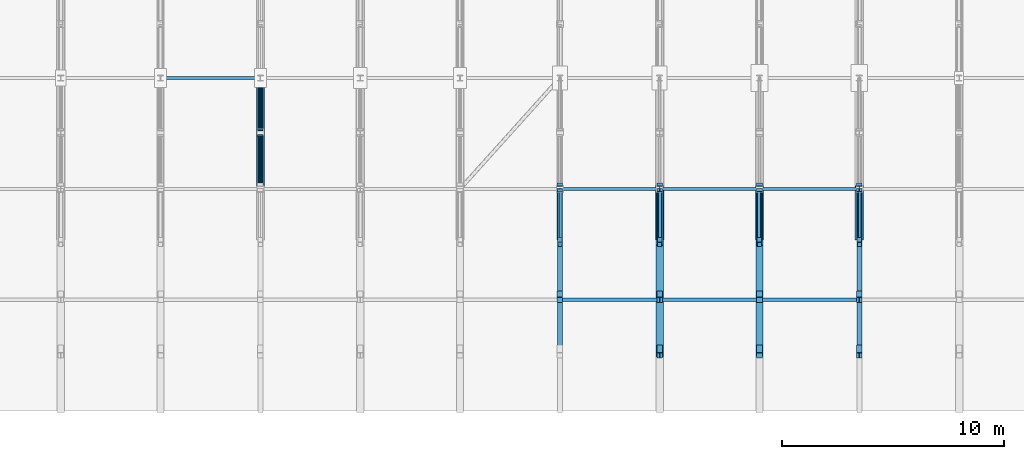
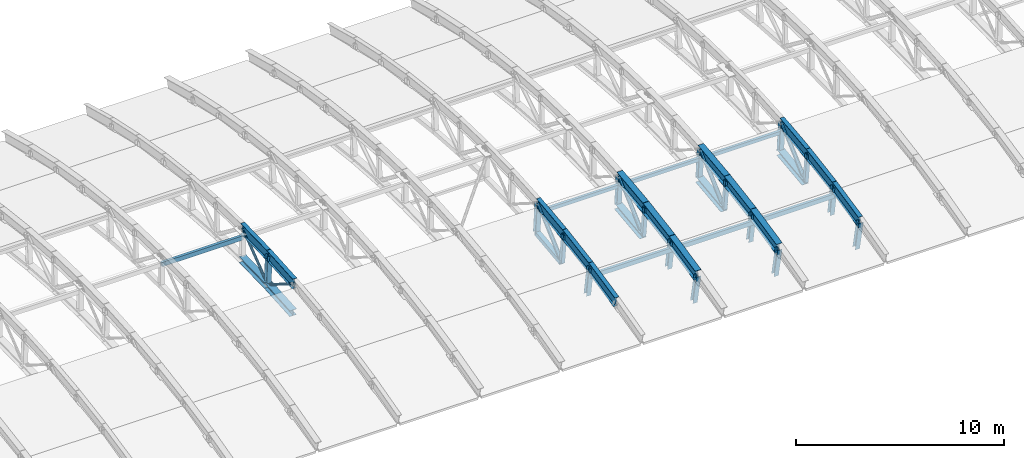
# One storey, part 12 of 53: 35 members, 14 beams.
"""IFC4 building model written with IfcOpenShell, lengths in metres."""

from ifc_helpers import new_model, si_unit, direction, frame, origin, origin_2d, place, context, subcontext, project, spatial, hollow_rectangle, hollow_circle, i_section, extrude, material, material_profile, profile_set, type_object, element, save


model = new_model("IFC4")

# Units and contexts
model_context = context("Model", 3, precision=1e-05, world=origin(), true_north=direction((0.0, 1.0)))
body_context = subcontext(model_context, "Body", "Model", "MODEL_VIEW")
ifc_project = project(units=[si_unit("LENGTHUNIT", "METRE"), si_unit("AREAUNIT", "SQUARE_METRE"), si_unit("VOLUMEUNIT", "CUBIC_METRE"), si_unit("PLANEANGLEUNIT", "RADIAN"), si_unit("MASSUNIT", "GRAM", prefix="KILO")], contexts=[model_context])

# Site, building, storey
site_placement = place(None, origin())
site = spatial("IfcSite", under=ifc_project, at=site_placement, CompositionType="ELEMENT")
building_placement = place(site_placement, origin())
building = spatial("IfcBuilding", under=site, at=building_placement, Name="Cazmaro Siding Exhibition Halls", CompositionType="ELEMENT")
storey_placement = place(building_placement, frame((0.0, 0.0, 21.0)))
storey = spatial("IfcBuildingStorey", under=building, at=storey_placement, Name="L04", CompositionType="ELEMENT", Elevation=21.0)

# Beams
ifc_material_1 = material(Name="Steel ASTM A992 Grade 50", Category="steel")
ifc_material_profile_1 = material_profile(ifc_material_1, i_section(OverallWidth=0.327880859375, OverallDepth=0.626953125, WebThickness=0.01708984375, FlangeThickness=0.028076171875, at=origin_2d()), Name="W24X146")
ifc_profile_set_1 = profile_set([ifc_material_profile_1], Name="Steel ASTM A992 Grade 50")
beam_type_1 = type_object("IfcBeamType", Name="AR-01", PredefinedType="USERDEFINED", material=ifc_profile_set_1)
beam_1_placement = place(storey_placement, frame((85.5, 81.5, 1.02001953125), z_axis=(0.0, 0.977710100146, 0.209959424826), x_axis=(-1.0, 0.0, 0.0)))
element("IfcBeam", 1, at=beam_1_placement, inside=storey, type_object=beam_type_1, Name="Space frame barrel vault arched rib AR-01 BM-0758", ObjectType="ARCHED RIB", PredefinedType="USERDEFINED", context=body_context, shape_type="SweptSolid", body=[
    extrude(i_section(OverallWidth=0.327880859375, OverallDepth=0.626953125, WebThickness=0.01708984375, FlangeThickness=0.028076171875, at=origin_2d()), origin(), (0.0, 0.0, 1.0), 2.556884765625),
])
beam_2_placement = place(storey_placement, frame((85.5, 84.0, 1.556884765625), z_axis=(0.0, 0.98649787474, 0.163774061236), x_axis=(-1.0, 0.0, 0.0)))
element("IfcBeam", 2, at=beam_2_placement, inside=storey, type_object=beam_type_1, Name="Space frame barrel vault arched rib AR-01 BM-0759", ObjectType="ARCHED RIB", PredefinedType="USERDEFINED", context=body_context, shape_type="SweptSolid", body=[
    extrude(i_section(OverallWidth=0.327880859375, OverallDepth=0.626953125, WebThickness=0.01708984375, FlangeThickness=0.028076171875, at=origin_2d()), origin(), (0.0, 0.0, 1.0), 2.5341796875),
])
beam_3_placement = place(storey_placement, frame((85.5, 86.5, 1.971923828125), z_axis=(0.0, 0.993147293786, 0.116869383693), x_axis=(-1.0, 0.0, 0.0)))
element("IfcBeam", 3, at=beam_3_placement, inside=storey, type_object=beam_type_1, Name="Space frame barrel vault arched rib AR-01 BM-0760", ObjectType="ARCHED RIB", PredefinedType="USERDEFINED", context=body_context, shape_type="SweptSolid", body=[
    extrude(i_section(OverallWidth=0.327880859375, OverallDepth=0.626953125, WebThickness=0.01708984375, FlangeThickness=0.028076171875, at=origin_2d()), origin(), (0.0, 0.0, 1.0), 2.517333984375),
])
ifc_material_2 = material(Name="Steel ASTM A992 Grade 50", Category="steel")
ifc_material_profile_2 = material_profile(ifc_material_2, i_section(OverallWidth=0.324951171875, OverallDepth=0.612060546875, WebThickness=0.012939453125, FlangeThickness=0.01904296875, at=origin_2d()), Name="W24X104")
ifc_profile_set_2 = profile_set([ifc_material_profile_2], Name="Steel ASTM A992 Grade 50")
beam_type_2 = type_object("IfcBeamType", Name="AR-02", PredefinedType="USERDEFINED", material=ifc_profile_set_2)
beam_4_placement = place(storey_placement, frame((90.0, 81.5, 1.02001953125), z_axis=(0.0, 0.977710100146, 0.209959424826), x_axis=(-1.0, 0.0, 0.0)))
element("IfcBeam", 4, at=beam_4_placement, inside=storey, type_object=beam_type_2, Name="Space frame barrel vault arched rib AR-02 BM-0782", ObjectType="ARCHED RIB", PredefinedType="USERDEFINED", context=body_context, shape_type="SweptSolid", body=[
    extrude(i_section(OverallWidth=0.324951171875, OverallDepth=0.612060546875, WebThickness=0.012939453125, FlangeThickness=0.01904296875, at=origin_2d()), origin(), (0.0, 0.0, 1.0), 2.556884765625),
])
beam_5_placement = place(storey_placement, frame((90.0, 84.0, 1.556884765625), z_axis=(0.0, 0.98649787474, 0.163774061236), x_axis=(-1.0, 0.0, 0.0)))
element("IfcBeam", 5, at=beam_5_placement, inside=storey, type_object=beam_type_2, Name="Space frame barrel vault arched rib AR-02 BM-0783", ObjectType="ARCHED RIB", PredefinedType="USERDEFINED", context=body_context, shape_type="SweptSolid", body=[
    extrude(i_section(OverallWidth=0.324951171875, OverallDepth=0.612060546875, WebThickness=0.012939453125, FlangeThickness=0.01904296875, at=origin_2d()), origin(), (0.0, 0.0, 1.0), 2.5341796875),
])
beam_6_placement = place(storey_placement, frame((90.0, 86.5, 1.971923828125), z_axis=(0.0, 0.993147293786, 0.116869383693), x_axis=(-1.0, 0.0, 0.0)))
element("IfcBeam", 6, at=beam_6_placement, inside=storey, type_object=beam_type_2, Name="Space frame barrel vault arched rib AR-02 BM-0784", ObjectType="ARCHED RIB", PredefinedType="USERDEFINED", context=body_context, shape_type="SweptSolid", body=[
    extrude(i_section(OverallWidth=0.324951171875, OverallDepth=0.612060546875, WebThickness=0.012939453125, FlangeThickness=0.01904296875, at=origin_2d()), origin(), (0.0, 0.0, 1.0), 2.517333984375),
])
ifc_material_3 = material(Name="Steel ASTM A992 Grade 50", Category="steel")
ifc_material_profile_3 = material_profile(ifc_material_3, i_section(OverallWidth=0.22900390625, OverallDepth=0.612060546875, WebThickness=0.011962890625, FlangeThickness=0.02001953125, at=origin_2d()), Name="W24X84")
ifc_profile_set_3 = profile_set([ifc_material_profile_3], Name="Steel ASTM A992 Grade 50")
beam_type_3 = type_object("IfcBeamType", Name="AR-03", PredefinedType="USERDEFINED", material=ifc_profile_set_3)
beam_7_placement = place(storey_placement, frame((67.5, 89.0, 2.26611328125), z_axis=(0.0, 0.997537204184, 0.070139334669), x_axis=(-1.0, 0.0, 0.0)))
element("IfcBeam", 7, at=beam_7_placement, inside=storey, type_object=beam_type_3, Name="Space frame barrel vault arched rib AR-03 BM-0665", ObjectType="ARCHED RIB", PredefinedType="USERDEFINED", context=body_context, shape_type="SweptSolid", body=[
    extrude(i_section(OverallWidth=0.22900390625, OverallDepth=0.612060546875, WebThickness=0.011962890625, FlangeThickness=0.02001953125, at=origin_2d()), origin(), (0.0, 0.0, 1.0), 2.506103515625),
])
beam_8_placement = place(storey_placement, frame((67.5, 91.5, 2.44189453125), z_axis=(0.0, 0.999730009742, 0.023235912336), x_axis=(-1.0, 0.0, 0.0)))
element("IfcBeam", 8, at=beam_8_placement, inside=storey, type_object=beam_type_3, Name="Space frame barrel vault arched rib AR-03 BM-0666", ObjectType="ARCHED RIB", PredefinedType="USERDEFINED", context=body_context, shape_type="SweptSolid", body=[
    extrude(i_section(OverallWidth=0.22900390625, OverallDepth=0.612060546875, WebThickness=0.011962890625, FlangeThickness=0.02001953125, at=origin_2d()), origin(), (0.0, 0.0, 1.0), 2.500732421875),
])
beam_9_placement = place(storey_placement, frame((81.0, 81.5, 1.02001953125), z_axis=(0.0, 0.977710100146, 0.209959424826), x_axis=(-1.0, 0.0, 0.0)))
element("IfcBeam", 9, at=beam_9_placement, inside=storey, type_object=beam_type_3, Name="Space frame barrel vault arched rib AR-03 BM-0734", ObjectType="ARCHED RIB", PredefinedType="USERDEFINED", context=body_context, shape_type="SweptSolid", body=[
    extrude(i_section(OverallWidth=0.22900390625, OverallDepth=0.612060546875, WebThickness=0.011962890625, FlangeThickness=0.02001953125, at=origin_2d()), origin(), (0.0, 0.0, 1.0), 2.556884765625),
])
beam_10_placement = place(storey_placement, frame((81.0, 84.0, 1.556884765625), z_axis=(0.0, 0.98649787474, 0.163774061236), x_axis=(-1.0, 0.0, 0.0)))
element("IfcBeam", 10, at=beam_10_placement, inside=storey, type_object=beam_type_3, Name="Space frame barrel vault arched rib AR-03 BM-0735", ObjectType="ARCHED RIB", PredefinedType="USERDEFINED", context=body_context, shape_type="SweptSolid", body=[
    extrude(i_section(OverallWidth=0.22900390625, OverallDepth=0.612060546875, WebThickness=0.011962890625, FlangeThickness=0.02001953125, at=origin_2d()), origin(), (0.0, 0.0, 1.0), 2.5341796875),
])
beam_11_placement = place(storey_placement, frame((81.0, 86.5, 1.971923828125), z_axis=(0.0, 0.993147293786, 0.116869383693), x_axis=(-1.0, 0.0, 0.0)))
element("IfcBeam", 11, at=beam_11_placement, inside=storey, type_object=beam_type_3, Name="Space frame barrel vault arched rib AR-03 BM-0736", ObjectType="ARCHED RIB", PredefinedType="USERDEFINED", context=body_context, shape_type="SweptSolid", body=[
    extrude(i_section(OverallWidth=0.22900390625, OverallDepth=0.612060546875, WebThickness=0.011962890625, FlangeThickness=0.02001953125, at=origin_2d()), origin(), (0.0, 0.0, 1.0), 2.517333984375),
])
beam_12_placement = place(storey_placement, frame((94.5, 81.5, 1.02001953125), z_axis=(0.0, 0.977710100146, 0.209959424826), x_axis=(-1.0, 0.0, 0.0)))
element("IfcBeam", 12, at=beam_12_placement, inside=storey, type_object=beam_type_3, Name="Space frame barrel vault arched rib AR-03 BM-0806", ObjectType="ARCHED RIB", PredefinedType="USERDEFINED", context=body_context, shape_type="SweptSolid", body=[
    extrude(i_section(OverallWidth=0.22900390625, OverallDepth=0.612060546875, WebThickness=0.011962890625, FlangeThickness=0.02001953125, at=origin_2d()), origin(), (0.0, 0.0, 1.0), 2.556884765625),
])
beam_13_placement = place(storey_placement, frame((94.5, 84.0, 1.556884765625), z_axis=(0.0, 0.98649787474, 0.163774061236), x_axis=(-1.0, 0.0, 0.0)))
element("IfcBeam", 13, at=beam_13_placement, inside=storey, type_object=beam_type_3, Name="Space frame barrel vault arched rib AR-03 BM-0807", ObjectType="ARCHED RIB", PredefinedType="USERDEFINED", context=body_context, shape_type="SweptSolid", body=[
    extrude(i_section(OverallWidth=0.22900390625, OverallDepth=0.612060546875, WebThickness=0.011962890625, FlangeThickness=0.02001953125, at=origin_2d()), origin(), (0.0, 0.0, 1.0), 2.5341796875),
])
beam_14_placement = place(storey_placement, frame((94.5, 86.5, 1.971923828125), z_axis=(0.0, 0.993147293786, 0.116869383693), x_axis=(-1.0, 0.0, 0.0)))
element("IfcBeam", 14, at=beam_14_placement, inside=storey, type_object=beam_type_3, Name="Space frame barrel vault arched rib AR-03 BM-0808", ObjectType="ARCHED RIB", PredefinedType="USERDEFINED", context=body_context, shape_type="SweptSolid", body=[
    extrude(i_section(OverallWidth=0.22900390625, OverallDepth=0.612060546875, WebThickness=0.011962890625, FlangeThickness=0.02001953125, at=origin_2d()), origin(), (0.0, 0.0, 1.0), 2.517333984375),
])

# Members
ifc_material_4 = material(Name="Steel ASTM A500 Grade C", Category="steel")
ifc_material_profile_4 = material_profile(ifc_material_4, hollow_rectangle(XDim=0.152099609375, YDim=0.202880859375, WallThickness=0.011962890625, at=origin_2d()), Name="HSS8X6X1/2")
ifc_profile_set_4 = profile_set([ifc_material_profile_4], Name="Steel ASTM A500 Grade C")
member_type_1 = type_object("IfcMemberType", Name="RP-01", PredefinedType="PURLIN", material=ifc_profile_set_4)
for number, where, z_axis, x_axis, name in (
    (15, (81.0, 89.0, 1.72607421875), (1.0, 0.0, 0.0), (0.0, 1.0, 0.0), "Space frame barrel vault purlin RP-01 MEM-2068"),
    (16, (85.5, 89.0, 1.72607421875), (1.0, 0.0, 0.0), (0.0, 1.0, 0.0), "Space frame barrel vault purlin RP-01 MEM-2079"),
    (17, (90.0, 89.0, 1.72607421875), (1.0, 0.0, 0.0), (0.0, 1.0, 0.0), "Space frame barrel vault purlin RP-01 MEM-2090"),
):
    element("IfcMember", number, at=place(storey_placement, frame(where, z_axis=z_axis, x_axis=x_axis)), inside=storey, type_object=member_type_1, Name=name, PredefinedType="PURLIN", context=body_context, shape_type="SweptSolid", body=[
        extrude(hollow_rectangle(XDim=0.152099609375, YDim=0.202880859375, WallThickness=0.011962890625, at=origin_2d()), origin(), (0.0, 0.0, 1.0), 4.5),
    ])
ifc_material_5 = material(Name="Steel ASTM A500 Grade C", Category="steel")
ifc_material_profile_5 = material_profile(ifc_material_5, hollow_rectangle(XDim=0.152099609375, YDim=0.25390625, WallThickness=0.011962890625, at=origin_2d()), Name="HSS10X6X1/2")
ifc_profile_set_5 = profile_set([ifc_material_profile_5], Name="Steel ASTM A500 Grade C")
member_type_2 = type_object("IfcMemberType", Name="RP-04", PredefinedType="PURLIN", material=ifc_profile_set_5)
for number, where, z_axis, x_axis, name in (
    (18, (63.0, 94.0, 1.9599609375), (1.0, 0.0, 0.0), (0.0, 1.0, 0.0), "Space frame barrel vault purlin RP-04 MEM-2019"),
    (19, (81.0, 84.0, 1.01708984375), (1.0, 0.0, 0.0), (0.0, 1.0, 0.0), "Space frame barrel vault purlin RP-04 MEM-2067"),
    (20, (85.5, 84.0, 1.01708984375), (1.0, 0.0, 0.0), (0.0, 1.0, 0.0), "Space frame barrel vault purlin RP-04 MEM-2078"),
    (21, (90.0, 84.0, 1.01708984375), (1.0, 0.0, 0.0), (0.0, 1.0, 0.0), "Space frame barrel vault purlin RP-04 MEM-2089"),
):
    element("IfcMember", number, at=place(storey_placement, frame(where, z_axis=z_axis, x_axis=x_axis)), inside=storey, type_object=member_type_2, Name=name, PredefinedType="PURLIN", context=body_context, shape_type="SweptSolid", body=[
        extrude(hollow_rectangle(XDim=0.152099609375, YDim=0.25390625, WallThickness=0.011962890625, at=origin_2d()), origin(), (0.0, 0.0, 1.0), 4.5),
    ])
ifc_material_6 = material(Name="Steel ASTM A500 Grade C", Category="steel")
ifc_material_profile_6 = material_profile(ifc_material_6, hollow_rectangle(XDim=0.25390625, YDim=0.25390625, WallThickness=0.014892578125, at=origin_2d()), Name="HSS10X10X5/8")
ifc_profile_set_6 = profile_set([ifc_material_profile_6], Name="Steel ASTM A500 Grade C")
member_type_3 = type_object("IfcMemberType", Name="TC-01", PredefinedType="CHORD", material=ifc_profile_set_6)
member_1_placement = place(storey_placement, frame((81.0, 86.7099609375, 0.18701171875), z_axis=(0.0, 0.993149923187, 0.116847037079), x_axis=(-1.0, 0.0, 0.0)))
element("IfcMember", 22, at=member_1_placement, inside=storey, type_object=member_type_3, Name="Space frame barrel vault bottom chord TC-01 MEM-0539", PredefinedType="CHORD", context=body_context, shape_type="SweptSolid", body=[
    extrude(hollow_rectangle(XDim=0.25390625, YDim=0.25390625, WallThickness=0.014892578125, at=origin_2d()), origin(), (0.0, 0.0, 1.0), 2.44677734375),
])
ifc_material_7 = material(Name="Steel ASTM A992 Grade 50", Category="steel")
ifc_material_profile_7 = material_profile(ifc_material_7, i_section(OverallWidth=0.37109375, OverallDepth=0.364013671875, WebThickness=0.012939453125, FlangeThickness=0.02197265625, at=origin_2d()), Name="W14X109")
ifc_profile_set_7 = profile_set([ifc_material_profile_7], Name="Steel ASTM A992 Grade 50")
member_type_4 = type_object("IfcMemberType", Name="TC-06", PredefinedType="CHORD", material=ifc_profile_set_7)
member_2_placement = place(storey_placement, frame((67.5, 89.139892578125, 0.472900390625), z_axis=(0.0, 0.997529419526, 0.070249962135), x_axis=(-1.0, 0.0, 0.0)))
element("IfcMember", 23, at=member_2_placement, inside=storey, type_object=member_type_4, Name="Space frame barrel vault bottom chord TC-06 MEM-0328", PredefinedType="CHORD", context=body_context, shape_type="SweptSolid", body=[
    extrude(i_section(OverallWidth=0.37109375, OverallDepth=0.364013671875, WebThickness=0.012939453125, FlangeThickness=0.02197265625, at=origin_2d()), origin(), (0.0, 0.0, 1.0), 2.436279296875),
])
member_3_placement = place(storey_placement, frame((67.5, 91.570068359375, 0.64404296875), z_axis=(0.0, 0.99973541783, 0.023002050707), x_axis=(-1.0, 0.0, 0.0)))
element("IfcMember", 24, at=member_3_placement, inside=storey, type_object=member_type_4, Name="Space frame barrel vault bottom chord TC-06 MEM-0330", PredefinedType="CHORD", context=body_context, shape_type="SweptSolid", body=[
    extrude(i_section(OverallWidth=0.37109375, OverallDepth=0.364013671875, WebThickness=0.012939453125, FlangeThickness=0.02197265625, at=origin_2d()), origin(), (0.0, 0.0, 1.0), 2.4306640625),
])
for number, where, z_axis, x_axis, name in (
    (25, (85.5, 86.7099609375, 0.18701171875), (0.0, 0.993149923187, 0.116847037079), (-1.0, 0.0, 0.0), "Space frame barrel vault bottom chord TC-06 MEM-0610"),
    (26, (90.0, 86.7099609375, 0.18701171875), (0.0, 0.993149923187, 0.116847037079), (-1.0, 0.0, 0.0), "Space frame barrel vault bottom chord TC-06 MEM-0681"),
    (27, (94.5, 86.7099609375, 0.18701171875), (0.0, 0.993149923187, 0.116847037079), (-1.0, 0.0, 0.0), "Space frame barrel vault bottom chord TC-06 MEM-0752"),
):
    element("IfcMember", number, at=place(storey_placement, frame(where, z_axis=z_axis, x_axis=x_axis)), inside=storey, type_object=member_type_4, Name=name, PredefinedType="CHORD", context=body_context, shape_type="SweptSolid", body=[
        extrude(i_section(OverallWidth=0.37109375, OverallDepth=0.364013671875, WebThickness=0.012939453125, FlangeThickness=0.02197265625, at=origin_2d()), origin(), (0.0, 0.0, 1.0), 2.44677734375),
    ])
ifc_material_8 = material(Name="Steel ASTM A500 Grade C", Category="steel")
ifc_material_profile_8 = material_profile(ifc_material_8, hollow_rectangle(XDim=0.202880859375, YDim=0.202880859375, WallThickness=0.011962890625, at=origin_2d()), Name="HSS8X8X1/2")
ifc_profile_set_8 = profile_set([ifc_material_profile_8], Name="Steel ASTM A500 Grade C")
member_type_5 = type_object("IfcMemberType", Name="TP-01", PredefinedType="POST", material=ifc_profile_set_8)
for number, where, z_axis, x_axis, name in (
    (28, (81.0, 86.7099609375, 0.18701171875), (0.0, -0.116825484133, 0.993152458718), (1.0, 0.0, 0.0), "Space frame barrel vault post TP-01 MEM-0577"),
    (29, (85.5, 86.7099609375, 0.18701171875), (0.0, -0.116825484133, 0.993152458718), (1.0, 0.0, 0.0), "Space frame barrel vault post TP-01 MEM-0648"),
    (30, (90.0, 86.7099609375, 0.18701171875), (0.0, -0.116825484133, 0.993152458718), (1.0, 0.0, 0.0), "Space frame barrel vault post TP-01 MEM-0719"),
    (31, (94.5, 86.7099609375, 0.18701171875), (0.0, -0.116825484133, 0.993152458718), (1.0, 0.0, 0.0), "Space frame barrel vault post TP-01 MEM-0790"),
):
    element("IfcMember", number, at=place(storey_placement, frame(where, z_axis=z_axis, x_axis=x_axis)), inside=storey, type_object=member_type_5, Name=name, PredefinedType="POST", context=body_context, shape_type="SweptSolid", body=[
        extrude(hollow_rectangle(XDim=0.202880859375, YDim=0.202880859375, WallThickness=0.011962890625, at=origin_2d()), origin(), (0.0, 0.0, 1.0), 1.797119140625),
    ])
ifc_material_9 = material(Name="Steel ASTM A992 Grade 50", Category="steel")
ifc_material_profile_9 = material_profile(ifc_material_9, i_section(OverallWidth=0.25390625, OverallDepth=0.25390625, WebThickness=0.009033203125, FlangeThickness=0.013916015625, at=origin_2d()), Name="W10X49")
ifc_profile_set_9 = profile_set([ifc_material_profile_9], Name="Steel ASTM A992 Grade 50")
member_type_6 = type_object("IfcMemberType", Name="TP-04", PredefinedType="POST", material=ifc_profile_set_9)
member_4_placement = place(storey_placement, frame((67.5, 91.570068359375, 0.64404296875), z_axis=(0.0, -0.038943818889, 0.999241401749), x_axis=(1.0, 0.0, 0.0)))
element("IfcMember", 32, at=member_4_placement, inside=storey, type_object=member_type_6, Name="Space frame barrel vault post TP-04 MEM-0366", PredefinedType="POST", context=body_context, shape_type="SweptSolid", body=[
    extrude(i_section(OverallWidth=0.25390625, OverallDepth=0.25390625, WebThickness=0.009033203125, FlangeThickness=0.013916015625, at=origin_2d()), origin(), (0.0, 0.0, 1.0), 1.79931640625),
])
member_5_placement = place(storey_placement, frame((81.0, 84.280029296875, -0.217041015625), z_axis=(0.0, -0.155927668857, 0.987768475952), x_axis=(1.0, 0.0, 0.0)))
element("IfcMember", 33, at=member_5_placement, inside=storey, type_object=member_type_6, Name="Space frame barrel vault post TP-04 MEM-0576", PredefinedType="POST", context=body_context, shape_type="SweptSolid", body=[
    extrude(i_section(OverallWidth=0.25390625, OverallDepth=0.25390625, WebThickness=0.009033203125, FlangeThickness=0.013916015625, at=origin_2d()), origin(), (0.0, 0.0, 1.0), 1.7958984375),
])
member_6_placement = place(storey_placement, frame((81.0, 89.139892578125, 0.472900390625), z_axis=(0.0, -0.077775943468, 0.996970863475), x_axis=(1.0, 0.0, 0.0)))
element("IfcMember", 34, at=member_6_placement, inside=storey, type_object=member_type_6, Name="Space frame barrel vault post TP-04 MEM-0578", PredefinedType="POST", context=body_context, shape_type="SweptSolid", body=[
    extrude(i_section(OverallWidth=0.25390625, OverallDepth=0.25390625, WebThickness=0.009033203125, FlangeThickness=0.013916015625, at=origin_2d()), origin(), (0.0, 0.0, 1.0), 1.798583984375),
])
member_7_placement = place(storey_placement, frame((85.5, 81.85009765625, -0.739013671875), z_axis=(0.0, -0.195199839578, 0.980763489649), x_axis=(1.0, 0.0, 0.0)))
element("IfcMember", 35, at=member_7_placement, inside=storey, type_object=member_type_6, Name="Space frame barrel vault post TP-04 MEM-0646", PredefinedType="POST", context=body_context, shape_type="SweptSolid", body=[
    extrude(i_section(OverallWidth=0.25390625, OverallDepth=0.25390625, WebThickness=0.009033203125, FlangeThickness=0.013916015625, at=origin_2d()), origin(), (0.0, 0.0, 1.0), 1.79345703125),
])
member_8_placement = place(storey_placement, frame((85.5, 84.280029296875, -0.217041015625), z_axis=(0.0, -0.155927668857, 0.987768475952), x_axis=(1.0, 0.0, 0.0)))
element("IfcMember", 36, at=member_8_placement, inside=storey, type_object=member_type_6, Name="Space frame barrel vault post TP-04 MEM-0647", PredefinedType="POST", context=body_context, shape_type="SweptSolid", body=[
    extrude(i_section(OverallWidth=0.25390625, OverallDepth=0.25390625, WebThickness=0.009033203125, FlangeThickness=0.013916015625, at=origin_2d()), origin(), (0.0, 0.0, 1.0), 1.7958984375),
])
member_9_placement = place(storey_placement, frame((85.5, 89.139892578125, 0.472900390625), z_axis=(0.0, -0.077775943468, 0.996970863475), x_axis=(1.0, 0.0, 0.0)))
element("IfcMember", 37, at=member_9_placement, inside=storey, type_object=member_type_6, Name="Space frame barrel vault post TP-04 MEM-0649", PredefinedType="POST", context=body_context, shape_type="SweptSolid", body=[
    extrude(i_section(OverallWidth=0.25390625, OverallDepth=0.25390625, WebThickness=0.009033203125, FlangeThickness=0.013916015625, at=origin_2d()), origin(), (0.0, 0.0, 1.0), 1.798583984375),
])
member_10_placement = place(storey_placement, frame((90.0, 81.85009765625, -0.739013671875), z_axis=(0.0, -0.195199839578, 0.980763489649), x_axis=(1.0, 0.0, 0.0)))
element("IfcMember", 38, at=member_10_placement, inside=storey, type_object=member_type_6, Name="Space frame barrel vault post TP-04 MEM-0717", PredefinedType="POST", context=body_context, shape_type="SweptSolid", body=[
    extrude(i_section(OverallWidth=0.25390625, OverallDepth=0.25390625, WebThickness=0.009033203125, FlangeThickness=0.013916015625, at=origin_2d()), origin(), (0.0, 0.0, 1.0), 1.79345703125),
])
member_11_placement = place(storey_placement, frame((90.0, 84.280029296875, -0.217041015625), z_axis=(0.0, -0.155927668857, 0.987768475952), x_axis=(1.0, 0.0, 0.0)))
element("IfcMember", 39, at=member_11_placement, inside=storey, type_object=member_type_6, Name="Space frame barrel vault post TP-04 MEM-0718", PredefinedType="POST", context=body_context, shape_type="SweptSolid", body=[
    extrude(i_section(OverallWidth=0.25390625, OverallDepth=0.25390625, WebThickness=0.009033203125, FlangeThickness=0.013916015625, at=origin_2d()), origin(), (0.0, 0.0, 1.0), 1.7958984375),
])
member_12_placement = place(storey_placement, frame((90.0, 89.139892578125, 0.472900390625), z_axis=(0.0, -0.077775943468, 0.996970863475), x_axis=(1.0, 0.0, 0.0)))
element("IfcMember", 40, at=member_12_placement, inside=storey, type_object=member_type_6, Name="Space frame barrel vault post TP-04 MEM-0720", PredefinedType="POST", context=body_context, shape_type="SweptSolid", body=[
    extrude(i_section(OverallWidth=0.25390625, OverallDepth=0.25390625, WebThickness=0.009033203125, FlangeThickness=0.013916015625, at=origin_2d()), origin(), (0.0, 0.0, 1.0), 1.798583984375),
])
member_13_placement = place(storey_placement, frame((94.5, 81.85009765625, -0.739013671875), z_axis=(0.0, -0.195199839578, 0.980763489649), x_axis=(1.0, 0.0, 0.0)))
element("IfcMember", 41, at=member_13_placement, inside=storey, type_object=member_type_6, Name="Space frame barrel vault post TP-04 MEM-0788", PredefinedType="POST", context=body_context, shape_type="SweptSolid", body=[
    extrude(i_section(OverallWidth=0.25390625, OverallDepth=0.25390625, WebThickness=0.009033203125, FlangeThickness=0.013916015625, at=origin_2d()), origin(), (0.0, 0.0, 1.0), 1.79345703125),
])
member_14_placement = place(storey_placement, frame((94.5, 84.280029296875, -0.217041015625), z_axis=(0.0, -0.155927668857, 0.987768475952), x_axis=(1.0, 0.0, 0.0)))
element("IfcMember", 42, at=member_14_placement, inside=storey, type_object=member_type_6, Name="Space frame barrel vault post TP-04 MEM-0789", PredefinedType="POST", context=body_context, shape_type="SweptSolid", body=[
    extrude(i_section(OverallWidth=0.25390625, OverallDepth=0.25390625, WebThickness=0.009033203125, FlangeThickness=0.013916015625, at=origin_2d()), origin(), (0.0, 0.0, 1.0), 1.7958984375),
])
member_15_placement = place(storey_placement, frame((94.5, 89.139892578125, 0.472900390625), z_axis=(0.0, -0.077775943468, 0.996970863475), x_axis=(1.0, 0.0, 0.0)))
element("IfcMember", 43, at=member_15_placement, inside=storey, type_object=member_type_6, Name="Space frame barrel vault post TP-04 MEM-0791", PredefinedType="POST", context=body_context, shape_type="SweptSolid", body=[
    extrude(i_section(OverallWidth=0.25390625, OverallDepth=0.25390625, WebThickness=0.009033203125, FlangeThickness=0.013916015625, at=origin_2d()), origin(), (0.0, 0.0, 1.0), 1.798583984375),
])
ifc_material_10 = material(Name="Steel ASTM A500 Grade C", Category="steel")
ifc_material_profile_10 = material_profile(ifc_material_10, hollow_circle(Radius=0.109619140625, WallThickness=0.012939453125, at=origin_2d()), Name="PIPE8XS")
ifc_profile_set_10 = profile_set([ifc_material_profile_10], Name="Steel ASTM A500 Grade C")
member_type_7 = type_object("IfcMemberType", Name="WB-01", PredefinedType="BRACE", material=ifc_profile_set_10)
for number, where, z_axis, x_axis, name in (
    (44, (81.0, 86.7099609375, 0.18701171875), (0.0, 0.740382789782, 0.672185483772), (-1.0, 0.0, 0.0), "Space frame barrel vault diagonal WB-01 MEM-0540"),
    (45, (85.5, 86.7099609375, 0.18701171875), (0.0, 0.740382789782, 0.672185483772), (-1.0, 0.0, 0.0), "Space frame barrel vault diagonal WB-01 MEM-0611"),
    (46, (90.0, 86.7099609375, 0.18701171875), (0.0, 0.740382789782, 0.672185483772), (-1.0, 0.0, 0.0), "Space frame barrel vault diagonal WB-01 MEM-0682"),
    (47, (94.5, 86.7099609375, 0.18701171875), (0.0, 0.740382789782, 0.672185483772), (-1.0, 0.0, 0.0), "Space frame barrel vault diagonal WB-01 MEM-0753"),
):
    element("IfcMember", number, at=place(storey_placement, frame(where, z_axis=z_axis, x_axis=x_axis)), inside=storey, type_object=member_type_7, Name=name, PredefinedType="BRACE", context=body_context, shape_type="SweptSolid", body=[
        extrude(hollow_circle(Radius=0.109619140625, WallThickness=0.012939453125, at=origin_2d()), origin(), (0.0, 0.0, 1.0), 3.093017578125),
    ])
ifc_material_11 = material(Name="Steel ASTM A500 Grade C", Category="steel")
ifc_material_profile_11 = material_profile(ifc_material_11, hollow_circle(Radius=0.070556640625, WallThickness=0.01904296875, at=origin_2d()), Name="PIPE5XXS")
ifc_profile_set_11 = profile_set([ifc_material_profile_11], Name="Steel ASTM A500 Grade C")
member_type_8 = type_object("IfcMemberType", Name="WB-07", PredefinedType="BRACE", material=ifc_profile_set_11)
member_16_placement = place(storey_placement, frame((67.5, 89.0, 2.26611328125), z_axis=(0.0, 0.84565684294, -0.533726993872), x_axis=(-1.0, 0.0, 0.0)))
element("IfcMember", 48, at=member_16_placement, inside=storey, type_object=member_type_8, Name="Space frame barrel vault diagonal WB-07 MEM-0329", PredefinedType="BRACE", context=body_context, shape_type="SweptSolid", body=[
    extrude(hollow_circle(Radius=0.070556640625, WallThickness=0.01904296875, at=origin_2d()), origin(), (0.0, 0.0, 1.0), 3.0390625),
])
member_17_placement = place(storey_placement, frame((67.5, 91.570068359375, 0.64404296875), z_axis=(0.0, 0.794708988455, 0.60699062898), x_axis=(-1.0, 0.0, 0.0)))
element("IfcMember", 49, at=member_17_placement, inside=storey, type_object=member_type_8, Name="Space frame barrel vault diagonal WB-07 MEM-0331", PredefinedType="BRACE", context=body_context, shape_type="SweptSolid", body=[
    extrude(hollow_circle(Radius=0.070556640625, WallThickness=0.01904296875, at=origin_2d()), origin(), (0.0, 0.0, 1.0), 3.0576171875),
])

save(model, "model.ifc")
